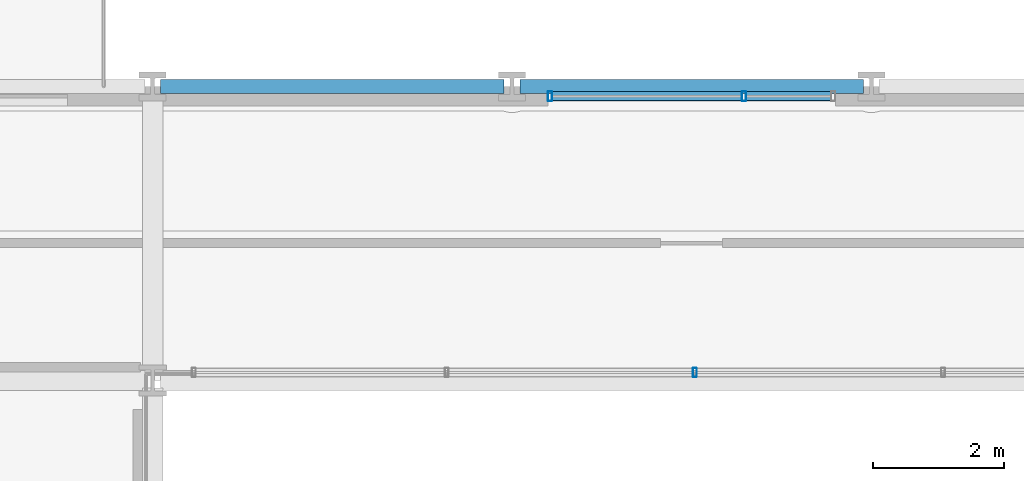
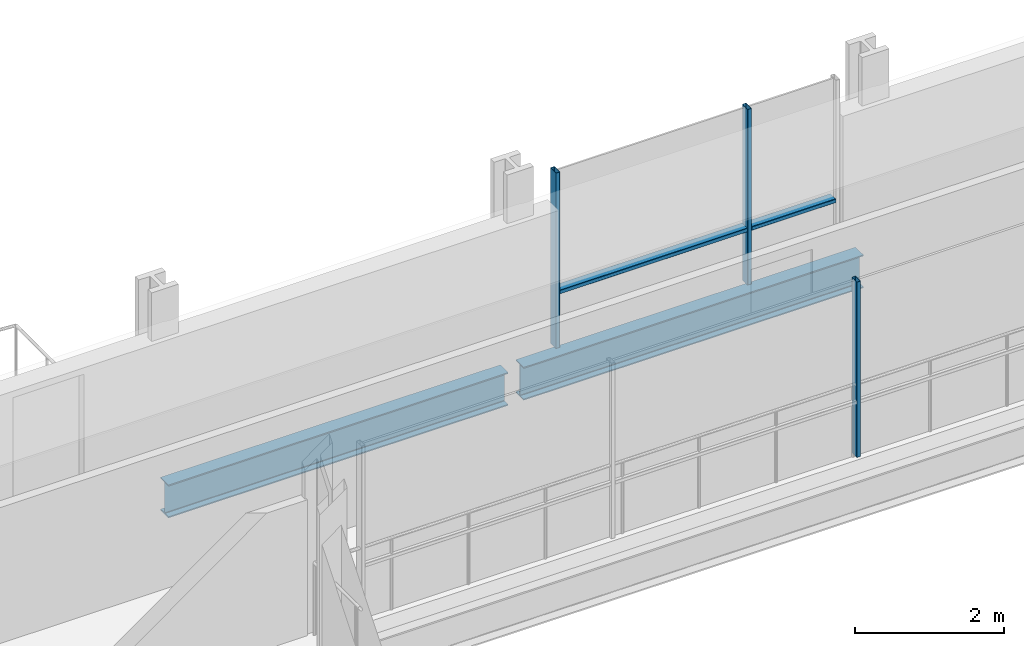
# One storey, part 11 of 38: 5 members, 2 beams, 2 elements without a shape of their own.
"""IFC4 building model written with IfcOpenShell, lengths in metres."""

from ifc_helpers import new_model, si_unit, direction, frame, origin, origin_2d, place, context, subcontext, project, spatial, hollow_rectangle, i_section, extrude, material, layer, layer_set, material_profile, profile_set, type_object, element, aggregate, save


model = new_model("IFC4")

# Units and contexts
model_context = context("Model", 3, precision=1e-05, world=origin(), true_north=direction((0.0, 1.0)))
body_context = subcontext(model_context, "Body", "Model", "MODEL_VIEW")
ifc_project = project(units=[si_unit("LENGTHUNIT", "METRE"), si_unit("AREAUNIT", "SQUARE_METRE"), si_unit("VOLUMEUNIT", "CUBIC_METRE"), si_unit("PLANEANGLEUNIT", "RADIAN"), si_unit("MASSUNIT", "GRAM", prefix="KILO")], contexts=[model_context])

# Site, building, storey
site_placement = place(None, origin())
site = spatial("IfcSite", under=ifc_project, at=site_placement, CompositionType="ELEMENT")
building_placement = place(site_placement, origin())
building = spatial("IfcBuilding", under=site, at=building_placement, Name="Brevholm Reach", CompositionType="ELEMENT")
storey_placement = place(building_placement, frame((0.0, 0.0, 52.800048828125)))
storey = spatial("IfcBuildingStorey", under=building, at=storey_placement, Name="L14", CompositionType="ELEMENT", Elevation=52.800048828125)

# Beams
ifc_material_1 = material(Name="Structural Steel S355J2", Category="steel")
ifc_material_profile_1 = material_profile(ifc_material_1, i_section(OverallWidth=0.210693359375, OverallDepth=0.53955078125, WebThickness=0.01171875, FlangeThickness=0.018798828125, FilletRadius=0.0126953125, at=origin_2d()), Name="UKB 533x210x109")
ifc_profile_set_1 = profile_set([ifc_material_profile_1], Name="Structural Steel S355J2")
beam_type = type_object("IfcBeamType", Name="BM-SP539", PredefinedType="SPANDREL", material=ifc_profile_set_1)
for number, where, z_axis, x_axis, name in (
    (1, (21.8701171875, 31.0, -0.499755859375), (1.0, 0.0, 0.0), (0.0, 1.0, 0.0), "L14 SP-01B Framing Beam"),
    (2, (27.3701171875, 31.0, -0.499755859375), (1.0, 0.0, 0.0), (0.0, 1.0, 0.0), "L14 SP-01B Framing Beam"),
):
    element("IfcBeam", number, at=place(storey_placement, frame(where, z_axis=z_axis, x_axis=x_axis)), inside=storey, type_object=beam_type, Name=name, PredefinedType="SPANDREL", context=body_context, shape_type="SweptSolid", body=[
        extrude(i_section(OverallWidth=0.210693359375, OverallDepth=0.53955078125, WebThickness=0.01171875, FlangeThickness=0.018798828125, FilletRadius=0.0126953125, at=origin_2d()), origin(), (0.0, 0.0, 1.0), 5.259765625),
    ])

# Curtain wall, member
ifc_material_2 = material(Name="Dark Anodised Aluminium 6063-T6 and Solar-Control Glass", Category="aluminium")
ifc_layer_1 = layer(ifc_material_2, 0.139892578125)
ifc_layer_set_1 = layer_set([ifc_layer_1], Name="Dark Anodised Aluminium 6063-T6 and Solar-Control Glass")
curtain_wall_type_1 = type_object("IfcCurtainWallType", Name="CW-02", PredefinedType="NOTDEFINED", material=ifc_layer_set_1)
curtain_wall_1_placement = place(storey_placement, origin())
curtain_wall_1 = element("IfcCurtainWall", 3, at=curtain_wall_1_placement, inside=storey, type_object=curtain_wall_type_1, Name="L14 Curtain Wall CW-02", PredefinedType="NOTDEFINED")
ifc_material_3 = material(Name="Dark Anodised Aluminium 6063-T6", Category="aluminium")
ifc_material_profile_2 = material_profile(ifc_material_3, hollow_rectangle(XDim=0.06005859375, YDim=0.139892578125, WallThickness=0.0048828125, InnerFilletRadius=0.0048828125, OuterFilletRadius=0.010009765625, at=origin_2d()), Name="RHS 140x60x5")
ifc_profile_set_2 = profile_set([ifc_material_profile_2], Name="Dark Anodised Aluminium 6063-T6")
member_type_1 = type_object("IfcMemberType", Name="CWM-140", PredefinedType="MULLION", material=ifc_profile_set_2)
member_1_placement = place(storey_placement, frame((30.050048828125, 26.6201171875, 0.0), z_axis=(0.0, 0.0, 1.0), x_axis=(-1.0, 0.0, 0.0)))
member_1 = element("IfcMember", 4, at=member_1_placement, type_object=member_type_1, Name="CM-140 Mullion 3", PredefinedType="MULLION", context=body_context, shape_type="SweptSolid", body=[
    extrude(hollow_rectangle(XDim=0.06005859375, YDim=0.139892578125, WallThickness=0.0048828125, InnerFilletRadius=0.0048828125, OuterFilletRadius=0.010009765625, at=origin_2d()), origin(), (0.0, 0.0, 1.0), 2.869873046875),
])
aggregate(curtain_wall_1, [member_1])

# Curtain wall, members
ifc_material_4 = material(Name="Dark Anodised Aluminium 6063-T6 and Solar-Control Glass", Category="aluminium")
ifc_layer_2 = layer(ifc_material_4, 0.14990234375)
ifc_layer_set_2 = layer_set([ifc_layer_2], Name="Dark Anodised Aluminium 6063-T6 and Solar-Control Glass")
curtain_wall_type_2 = type_object("IfcCurtainWallType", Name="CW-01", PredefinedType="NOTDEFINED", material=ifc_layer_set_2)
curtain_wall_2_placement = place(storey_placement, origin())
curtain_wall_2 = element("IfcCurtainWall", 5, at=curtain_wall_2_placement, inside=storey, type_object=curtain_wall_type_2, Name="L14 Curtain Wall CW-01", PredefinedType="NOTDEFINED")
ifc_material_5 = material(Name="Dark Anodised Aluminium 6063-T6", Category="aluminium")
ifc_material_profile_3 = material_profile(ifc_material_5, hollow_rectangle(XDim=0.06494140625, YDim=0.14990234375, WallThickness=0.0048828125, InnerFilletRadius=0.0048828125, OuterFilletRadius=0.010009765625, at=origin_2d()), Name="RHS 150x65x5")
ifc_profile_set_3 = profile_set([ifc_material_profile_3], Name="Dark Anodised Aluminium 6063-T6")
member_type_2 = type_object("IfcMemberType", Name="CWM-150", PredefinedType="MULLION", material=ifc_profile_set_3)
member_2_placement = place(storey_placement, frame((27.83251953125, 30.85009765625, 0.0), z_axis=(0.0, 0.0, 1.0), x_axis=(1.0, 0.0, 0.0)))
member_2 = element("IfcMember", 6, at=member_2_placement, type_object=member_type_2, Name="CM-150 Mullion 1", PredefinedType="MULLION", context=body_context, shape_type="SweptSolid", body=[
    extrude(hollow_rectangle(XDim=0.06494140625, YDim=0.14990234375, WallThickness=0.0048828125, InnerFilletRadius=0.0048828125, OuterFilletRadius=0.010009765625, at=origin_2d()), origin(), (0.0, 0.0, 1.0), 2.869873046875),
])
member_3_placement = place(storey_placement, frame((30.800048828125, 30.85009765625, 0.0), z_axis=(0.0, 0.0, 1.0), x_axis=(1.0, 0.0, 0.0)))
member_3 = element("IfcMember", 7, at=member_3_placement, type_object=member_type_2, Name="CM-150 Mullion 2", PredefinedType="MULLION", context=body_context, shape_type="SweptSolid", body=[
    extrude(hollow_rectangle(XDim=0.06494140625, YDim=0.14990234375, WallThickness=0.0048828125, InnerFilletRadius=0.0048828125, OuterFilletRadius=0.010009765625, at=origin_2d()), origin(), (0.0, 0.0, 1.0), 2.869873046875),
])
ifc_material_6 = material(Name="Dark Anodised Aluminium 6063-T6", Category="aluminium")
ifc_material_profile_4 = material_profile(ifc_material_6, hollow_rectangle(XDim=0.06494140625, YDim=0.14990234375, WallThickness=0.0048828125, InnerFilletRadius=0.0048828125, OuterFilletRadius=0.010009765625, at=origin_2d()), Name="RHS 150x65x5")
ifc_profile_set_4 = profile_set([ifc_material_profile_4], Name="Dark Anodised Aluminium 6063-T6")
member_type_3 = type_object("IfcMemberType", Name="CWT-150", PredefinedType="NOTDEFINED", material=ifc_profile_set_4)
member_4_placement = place(storey_placement, frame((27.864990234375, 30.85009765625, 0.89990234375), z_axis=(1.0, 0.0, 0.0), x_axis=(0.0, 0.0, 1.0)))
member_4 = element("IfcMember", 8, at=member_4_placement, type_object=member_type_3, Name="CT-150 Transom 1.1", ObjectType="TRANSOM", PredefinedType="USERDEFINED", context=body_context, shape_type="SweptSolid", body=[
    extrude(hollow_rectangle(XDim=0.06494140625, YDim=0.14990234375, WallThickness=0.0048828125, InnerFilletRadius=0.0048828125, OuterFilletRadius=0.010009765625, at=origin_2d()), origin(), (0.0, 0.0, 1.0), 2.902587890625),
])
member_5_placement = place(storey_placement, frame((30.83251953125, 30.85009765625, 0.89990234375), z_axis=(1.0, 0.0, 0.0), x_axis=(0.0, 0.0, 1.0)))
member_5 = element("IfcMember", 9, at=member_5_placement, type_object=member_type_3, Name="CT-150 Transom 2.1", ObjectType="TRANSOM", PredefinedType="USERDEFINED", context=body_context, shape_type="SweptSolid", body=[
    extrude(hollow_rectangle(XDim=0.06494140625, YDim=0.14990234375, WallThickness=0.0048828125, InnerFilletRadius=0.0048828125, OuterFilletRadius=0.010009765625, at=origin_2d()), origin(), (0.0, 0.0, 1.0), 1.302490234375),
])
aggregate(curtain_wall_2, [member_2, member_3, member_4, member_5])

save(model, "model.ifc")
